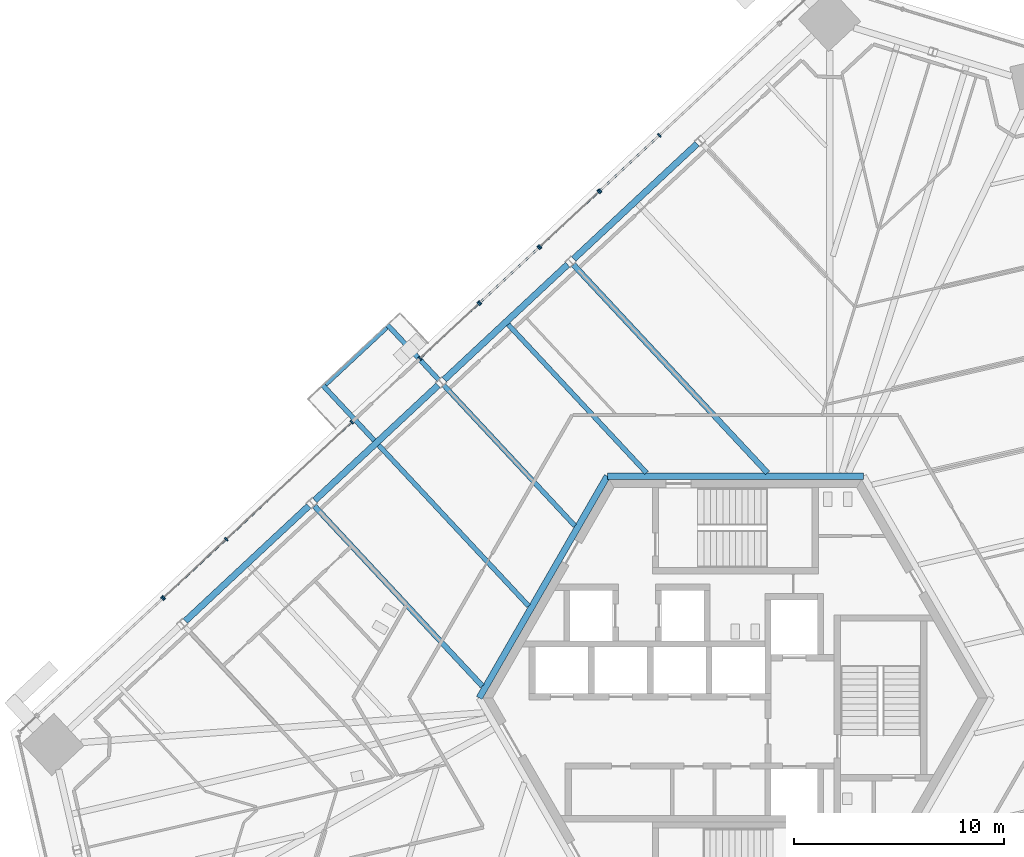
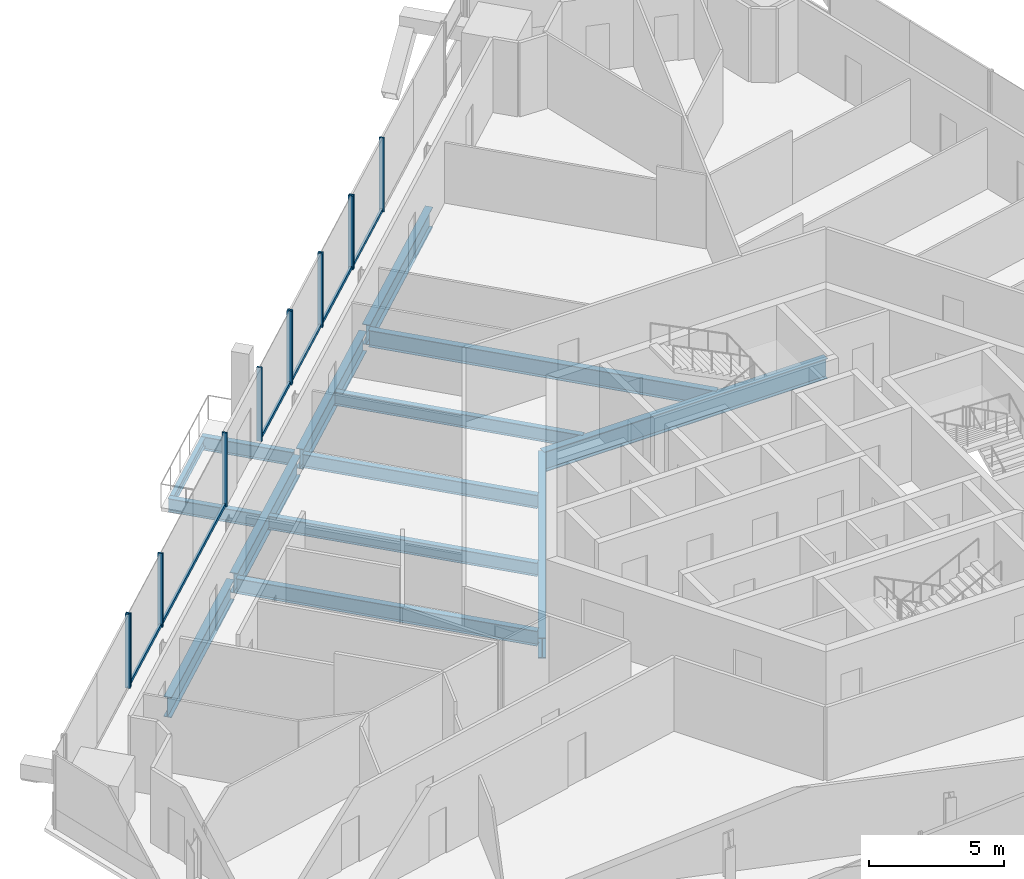
# One storey, part 8 of 25: 18 members, 14 beams, 6 elements without a shape of their own.
"""IFC4 building model written with IfcOpenShell, lengths in metres."""

from ifc_helpers import new_model, si_unit, direction, frame, origin, origin_2d, place, context, subcontext, project, spatial, rectangle, i_section, extrude, source, transform, mapped, material, material_profile, profile_set, type_object, element, aggregate, save


model = new_model("IFC4")

# Units and contexts
model_context = context("Model", 3, precision=1e-05, world=origin(), true_north=direction((0.0, 1.0)))
body_context = subcontext(model_context, "Body", "Model", "MODEL_VIEW")
ifc_project = project(units=[si_unit("LENGTHUNIT", "METRE"), si_unit("AREAUNIT", "SQUARE_METRE"), si_unit("VOLUMEUNIT", "CUBIC_METRE"), si_unit("PLANEANGLEUNIT", "RADIAN"), si_unit("MASSUNIT", "GRAM", prefix="KILO")], contexts=[model_context])

# Site, building, storey
site_placement = place(None, origin())
site = spatial("IfcSite", under=ifc_project, at=site_placement, CompositionType="ELEMENT")
building_placement = place(site_placement, origin())
building = spatial("IfcBuilding", under=site, at=building_placement, Name="Triune Harvest Tower", CompositionType="ELEMENT")
storey_placement = place(building_placement, frame((0.0, 0.0, 130.699951171875)))
storey = spatial("IfcBuildingStorey", under=building, at=storey_placement, Name="L33", CompositionType="ELEMENT", Elevation=130.699951171875)

# Beam
ifc_material_1 = material(Name="Steel ASTM A992 Gr 50", Category="steel")
ifc_material_profile_1 = material_profile(ifc_material_1, i_section(OverallWidth=0.180908203125, OverallDepth=0.41650390625, WebThickness=0.010986328125, FlangeThickness=0.01806640625, at=origin_2d()), Name="W16x57")
ifc_profile_set_1 = profile_set([ifc_material_profile_1], Name="Steel ASTM A992 Gr 50")
beam_type_1 = type_object("IfcBeamType", Name="BE-1 balcony edge beam W16x57", PredefinedType="BEAM", material=ifc_profile_set_1)
beam_1_placement = place(storey_placement, frame((-19.473876953125, 14.882080078125, -0.3681640625), z_axis=(0.731375580387, 0.681974897201, 0.0), x_axis=(-0.681974897201, 0.731375580387, 0.0)))
element("IfcBeam", 1, at=beam_1_placement, inside=storey, type_object=beam_type_1, Name="Balcony edge beam B3-F3 L33.7", PredefinedType="BEAM", context=body_context, shape_type="SweptSolid", body=[
    extrude(i_section(OverallWidth=0.180908203125, OverallDepth=0.41650390625, WebThickness=0.010986328125, FlangeThickness=0.01806640625, at=origin_2d()), origin(), (0.0, 0.0, 1.0), 3.978271484375),
])

# Curtain wall, member
ifc_material_2 = material(Name="Aluminium bronze anodised", Category="aluminium")
curtain_wall_type_1 = type_object("IfcCurtainWallType", Name="CW-10 Balcony window wall with insulated spandrel infill", PredefinedType="NOTDEFINED", material=ifc_material_2)
curtain_wall_1_placement = place(storey_placement, origin())
curtain_wall_1 = element("IfcCurtainWall", 2, at=curtain_wall_1_placement, inside=storey, type_object=curtain_wall_type_1, Name="CW-10 B3-F3 L33 run 301")
ifc_material_3 = material(Name="Aluminium bronze anodised", Category="aluminium")
ifc_material_profile_2 = material_profile(ifc_material_3, rectangle(XDim=0.090087890625, YDim=0.14990234375, at=origin_2d()), Name="TR-6 transom 90 x 150")
ifc_profile_set_2 = profile_set([ifc_material_profile_2], Name="Aluminium bronze anodised")
member_type_1 = type_object("IfcMemberType", Name="TR-6 transom 90 x 150", PredefinedType="USERDEFINED", material=ifc_profile_set_2)
member_1_placement = place(storey_placement, frame((-3.640625, 26.71923828125, 0.074951171875), z_axis=(-0.731368208842, -0.681982802639, 0.0), x_axis=(0.681982802639, -0.731368208842, 0.0)))
member_1 = element("IfcMember", 3, at=member_1_placement, type_object=member_type_1, Name="CW-10 transom B3-F3 301.2", ObjectType="TRANSOM", PredefinedType="USERDEFINED", context=body_context, shape_type="SweptSolid", body=[
    extrude(rectangle(XDim=0.090087890625, YDim=0.14990234375, at=origin_2d()), origin(), (0.0, 0.0, 1.0), 3.786865234375),
])

curtain_wall_2_placement = place(storey_placement, origin())
curtain_wall_2 = element("IfcCurtainWall", 4, at=curtain_wall_2_placement, inside=storey, type_object=curtain_wall_type_1, Name="CW-10 B3-F3 L33 run 2301")
member_2_placement = place(storey_placement, frame((-9.37158203125, 21.375, 0.074951171875), z_axis=(-0.731386486467, -0.681963200923, 0.0), x_axis=(0.681963200923, -0.731386486467, 0.0)))
member_2 = element("IfcMember", 5, at=member_2_placement, type_object=member_type_1, Name="CW-10 transom B3-F3 2301.1", ObjectType="TRANSOM", PredefinedType="USERDEFINED", context=body_context, shape_type="SweptSolid", body=[
    extrude(rectangle(XDim=0.090087890625, YDim=0.14990234375, at=origin_2d()), origin(), (0.0, 0.0, 1.0), 3.749267578125),
])

# Curtain wall, members
ifc_material_4 = material(Name="Aluminium bronze anodised", Category="aluminium")
curtain_wall_type_2 = type_object("IfcCurtainWallType", Name="CW-6 Balcony window wall", PredefinedType="NOTDEFINED", material=ifc_material_4)
curtain_wall_3_placement = place(storey_placement, origin())
curtain_wall_3 = element("IfcCurtainWall", 6, at=curtain_wall_3_placement, inside=storey, type_object=curtain_wall_type_2, Name="CW-6 B3-F3 L33 run 2")
member_3_placement = place(storey_placement, frame((-18.259033203125, 13.08740234375, 0.074951171875), z_axis=(-0.73134825359, -0.682004202312, 0.0), x_axis=(0.682004202312, -0.73134825359, 0.0)))
member_3 = element("IfcMember", 7, at=member_3_placement, type_object=member_type_1, Name="CW-6 transom B3-F3 2.1", ObjectType="TRANSOM", PredefinedType="USERDEFINED", context=body_context, shape_type="SweptSolid", body=[
    extrude(rectangle(XDim=0.090087890625, YDim=0.14990234375, at=origin_2d()), origin(), (0.0, 0.0, 1.0), 8.089599609375),
])
member_4_placement = place(storey_placement, frame((-24.230224609375, 7.519287109375, 0.074951171875), z_axis=(-0.731344244625, -0.682008501306, 0.0), x_axis=(0.682008501306, -0.731344244625, 0.0)))
member_4 = element("IfcMember", 8, at=member_4_placement, type_object=member_type_1, Name="CW-6 transom B3-F3 2.2", ObjectType="TRANSOM", PredefinedType="USERDEFINED", context=body_context, shape_type="SweptSolid", body=[
    extrude(rectangle(XDim=0.090087890625, YDim=0.14990234375, at=origin_2d()), origin(), (0.0, 0.0, 1.0), 3.988525390625),
])

# Beams
ifc_material_5 = material(Name="Steel ASTM A992 Gr 50", Category="steel")
ifc_material_profile_3 = material_profile(ifc_material_5, i_section(OverallWidth=0.3046875, OverallDepth=0.914306640625, WebThickness=0.0166015625, FlangeThickness=0.02587890625, at=origin_2d()), Name="W36x160")
ifc_profile_set_3 = profile_set([ifc_material_profile_3], Name="Steel ASTM A992 Gr 50")
beam_type_2 = type_object("IfcBeamType", Name="CG-1 Core ring girder W36x160", PredefinedType="BEAM", material=ifc_profile_set_3)
shared_shape_1 = source(origin(), body_context, "Body", "SweptSolid", [
    extrude(i_section(OverallWidth=0.3046875, OverallDepth=0.914306640625, WebThickness=0.0166015625, FlangeThickness=0.02587890625, at=origin_2d()), origin(), (0.0, 0.0, 1.0), 12.176025390625),
])
beam_2_placement = place(storey_placement, frame((-6.087890625, 10.544677734375, -0.6171875), z_axis=(-0.5000099932, -0.866019634131, 0.0), x_axis=(0.866019634131, -0.5000099932, 0.0)))
element("IfcBeam", 9, at=beam_2_placement, inside=storey, type_object=beam_type_2, Name="beam/L33/CG3", PredefinedType="BEAM", context=body_context, shape_type="MappedRepresentation", body=[
    mapped(shared_shape_1, transform((0.0, 0.0, 0.0), scale=1.0)),
])
shared_shape_2 = source(origin(), body_context, "Body", "SweptSolid", [
    extrude(i_section(OverallWidth=0.3046875, OverallDepth=0.914306640625, WebThickness=0.0166015625, FlangeThickness=0.02587890625, at=origin_2d()), origin(), (0.0, 0.0, 1.0), 12.17578125),
])
beam_3_placement = place(storey_placement, frame((6.087890625, 10.544677734375, -0.6171875), z_axis=(-1.0, 0.0, 0.0), x_axis=(0.0, -1.0, 0.0)))
element("IfcBeam", 10, at=beam_3_placement, inside=storey, type_object=beam_type_2, Name="beam/L33/CG2", PredefinedType="BEAM", context=body_context, shape_type="MappedRepresentation", body=[
    mapped(shared_shape_2, transform((0.0, 0.0, 0.0), scale=1.0)),
])
ifc_material_6 = material(Name="Steel ASTM A992 Gr 50", Category="steel")
ifc_material_profile_4 = material_profile(ifc_material_6, i_section(OverallWidth=0.3046875, OverallDepth=0.914306640625, WebThickness=0.0166015625, FlangeThickness=0.02587890625, at=origin_2d()), Name="W36x160")
ifc_profile_set_4 = profile_set([ifc_material_profile_4], Name="Steel ASTM A992 Gr 50")
beam_type_3 = type_object("IfcBeamType", Name="SB-1 Spandrel beam W36x160", PredefinedType="SPANDREL", material=ifc_profile_set_4)
shared_shape_3 = source(origin(), body_context, "Body", "SweptSolid", [
    extrude(i_section(OverallWidth=0.3046875, OverallDepth=0.914306640625, WebThickness=0.0166015625, FlangeThickness=0.02587890625, at=origin_2d()), origin(), (0.0, 0.0, 1.0), 8.018310546875),
])
for number, where, z_axis, x_axis, name in (
    (11, (-7.9755859375, 20.600341796875, -0.6171875), (-0.731353889465, -0.681998158623, 0.0), (0.681998158623, -0.731353889465, 0.0), "beam/L33/SB11"),
    (12, (-14.129638671875, 14.86181640625, -0.6171875), (-0.731353889465, -0.681998158623, 0.0), (0.681998158623, -0.731353889465, 0.0), "beam/L33/SB12"),
):
    element("IfcBeam", number, at=place(storey_placement, frame(where, z_axis=z_axis, x_axis=x_axis)), inside=storey, type_object=beam_type_3, Name=name, PredefinedType="SPANDREL", context=body_context, shape_type="MappedRepresentation", body=[
        mapped(shared_shape_3, transform((0.0, 0.0, 0.0), scale=1.0)),
    ])
shared_shape_4 = source(origin(), body_context, "Body", "SweptSolid", [
    extrude(i_section(OverallWidth=0.3046875, OverallDepth=0.914306640625, WebThickness=0.0166015625, FlangeThickness=0.02587890625, at=origin_2d()), origin(), (0.0, 0.0, 1.0), 8.01806640625),
])
for number, where, z_axis, x_axis, name in (
    (13, (-1.82177734375, 26.339111328125, -0.6171875), (-0.731339727109, -0.682013345582, 0.0), (0.682013345582, -0.731339727109, 0.0), "beam/L33/SB10"),
    (14, (-20.28369140625, 9.123046875, -0.6171875), (-0.731339727109, -0.682013345582, 0.0), (0.682013345582, -0.731339727109, 0.0), "beam/L33/SB13"),
):
    element("IfcBeam", number, at=place(storey_placement, frame(where, z_axis=z_axis, x_axis=x_axis)), inside=storey, type_object=beam_type_3, Name=name, PredefinedType="SPANDREL", context=body_context, shape_type="MappedRepresentation", body=[
        mapped(shared_shape_4, transform((0.0, 0.0, 0.0), scale=1.0)),
    ])
ifc_material_7 = material(Name="Steel ASTM A992 Gr 50", Category="steel")
ifc_material_profile_5 = material_profile(ifc_material_7, i_section(OverallWidth=0.2666015625, OverallDepth=0.7568359375, WebThickness=0.013916015625, FlangeThickness=0.019287109375, at=origin_2d()), Name="W30x108")
ifc_profile_set_5 = profile_set([ifc_material_profile_5], Name="Steel ASTM A992 Gr 50")
beam_type_4 = type_object("IfcBeamType", Name="JT-5 Floor joist W30x108", PredefinedType="JOIST", material=ifc_profile_set_5)
shared_shape_5 = source(origin(), body_context, "Body", "SweptSolid", [
    extrude(i_section(OverallWidth=0.2666015625, OverallDepth=0.7568359375, WebThickness=0.013916015625, FlangeThickness=0.019287109375, at=origin_2d()), origin(), (0.0, 0.0, 1.0), 13.535400390625),
])
beam_4_placement = place(storey_placement, frame((-7.700927734375, 20.59619140625, -0.538330078125), z_axis=(0.681991710808, -0.731359902093, 0.0), x_axis=(0.731359902093, 0.681991710808, 0.0)))
element("IfcBeam", 15, at=beam_4_placement, inside=storey, type_object=beam_type_4, Name="beam/L33/JT17", PredefinedType="JOIST", context=body_context, shape_type="MappedRepresentation", body=[
    mapped(shared_shape_5, transform((0.0, 0.0, 0.0), scale=1.0)),
])
ifc_material_8 = material(Name="Steel ASTM A992 Gr 50", Category="steel")
ifc_material_profile_6 = material_profile(ifc_material_8, i_section(OverallWidth=0.22900390625, OverallDepth=0.612060546875, WebThickness=0.011962890625, FlangeThickness=0.01953125, at=origin_2d()), Name="W24x84")
ifc_profile_set_6 = profile_set([ifc_material_profile_6], Name="Steel ASTM A992 Gr 50")
beam_type_5 = type_object("IfcBeamType", Name="JT-3 Floor joist W24x84", PredefinedType="JOIST", material=ifc_profile_set_6)
shared_shape_6 = source(origin(), body_context, "Body", "SweptSolid", [
    extrude(i_section(OverallWidth=0.22900390625, OverallDepth=0.612060546875, WebThickness=0.011962890625, FlangeThickness=0.01953125, at=origin_2d()), origin(), (0.0, 0.0, 1.0), 9.64990234375),
])
beam_5_placement = place(storey_placement, frame((-10.8037109375, 17.754638671875, -0.466064453125), z_axis=(0.681982850357, -0.731368164346, 0.0), x_axis=(0.731368164346, 0.681982850357, 0.0)))
element("IfcBeam", 16, at=beam_5_placement, inside=storey, type_object=beam_type_5, Name="beam/L33/JT18", PredefinedType="JOIST", context=body_context, shape_type="MappedRepresentation", body=[
    mapped(shared_shape_6, transform((0.0, 0.0, 0.0), scale=1.0)),
])
shared_shape_7 = source(origin(), body_context, "Body", "SweptSolid", [
    extrude(i_section(OverallWidth=0.22900390625, OverallDepth=0.612060546875, WebThickness=0.011962890625, FlangeThickness=0.01953125, at=origin_2d()), origin(), (0.0, 0.0, 1.0), 9.12890625),
])
beam_6_placement = place(storey_placement, frame((-13.854736328125, 14.857421875, -0.466064453125), z_axis=(0.681991349896, -0.731360238642, 0.0), x_axis=(0.731360238642, 0.681991349896, 0.0)))
element("IfcBeam", 17, at=beam_6_placement, inside=storey, type_object=beam_type_5, Name="beam/L33/JT19", PredefinedType="JOIST", context=body_context, shape_type="MappedRepresentation", body=[
    mapped(shared_shape_7, transform((0.0, 0.0, 0.0), scale=1.0)),
])
shared_shape_8 = source(origin(), body_context, "Body", "SweptSolid", [
    extrude(i_section(OverallWidth=0.22900390625, OverallDepth=0.612060546875, WebThickness=0.011962890625, FlangeThickness=0.01953125, at=origin_2d()), origin(), (0.0, 0.0, 1.0), 10.453369140625),
])
beam_7_placement = place(storey_placement, frame((-16.957763671875, 12.01611328125, -0.466064453125), z_axis=(0.681989491602, -0.731361971492, 0.0), x_axis=(0.731361971492, 0.681989491602, 0.0)))
element("IfcBeam", 18, at=beam_7_placement, inside=storey, type_object=beam_type_5, Name="beam/L33/JT20", PredefinedType="JOIST", context=body_context, shape_type="MappedRepresentation", body=[
    mapped(shared_shape_8, transform((0.0, 0.0, 0.0), scale=1.0)),
])
ifc_material_9 = material(Name="Steel ASTM A992 Gr 50", Category="steel")
ifc_material_profile_7 = material_profile(ifc_material_9, i_section(OverallWidth=0.253662109375, OverallDepth=0.683349609375, WebThickness=0.012451171875, FlangeThickness=0.01904296875, at=origin_2d()), Name="W27x94")
ifc_profile_set_7 = profile_set([ifc_material_profile_7], Name="Steel ASTM A992 Gr 50")
beam_type_6 = type_object("IfcBeamType", Name="JT-4 Floor joist W27x94", PredefinedType="JOIST", material=ifc_profile_set_7)
shared_shape_9 = source(origin(), body_context, "Body", "SweptSolid", [
    extrude(i_section(OverallWidth=0.253662109375, OverallDepth=0.683349609375, WebThickness=0.012451171875, FlangeThickness=0.01904296875, at=origin_2d()), origin(), (0.0, 0.0, 1.0), 11.70166015625),
])
beam_8_placement = place(storey_placement, frame((-20.0087890625, 9.118896484375, -0.50146484375), z_axis=(0.681994076682, -0.731357695913, 0.0), x_axis=(0.731357695913, 0.681994076682, 0.0)))
element("IfcBeam", 19, at=beam_8_placement, inside=storey, type_object=beam_type_6, Name="beam/L33/JT21", PredefinedType="JOIST", context=body_context, shape_type="MappedRepresentation", body=[
    mapped(shared_shape_9, transform((0.0, 0.0, 0.0), scale=1.0)),
])
ifc_material_10 = material(Name="Steel ASTM A992 Gr 50", Category="steel")
ifc_material_profile_8 = material_profile(ifc_material_10, i_section(OverallWidth=0.22900390625, OverallDepth=0.612060546875, WebThickness=0.011962890625, FlangeThickness=0.01953125, at=origin_2d()), Name="W24x84")
ifc_profile_set_8 = profile_set([ifc_material_profile_8], Name="Steel ASTM A992 Gr 50")
beam_type_7 = type_object("IfcBeamType", Name="BJ-3 Balcony cantilever joist W24x84", PredefinedType="JOIST", material=ifc_profile_set_8)
shared_shape_10 = source(origin(), body_context, "Body", "SweptSolid", [
    extrude(i_section(OverallWidth=0.22900390625, OverallDepth=0.612060546875, WebThickness=0.011962890625, FlangeThickness=0.01953125, at=origin_2d()), origin(), (0.0, 0.0, 1.0), 3.597412109375),
])
beam_9_placement = place(storey_placement, frame((-17.165771484375, 12.239013671875, -0.466064453125), z_axis=(-0.681972402572, 0.73137790651, 0.0), x_axis=(-0.73137790651, -0.681972402572, 0.0)))
element("IfcBeam", 20, at=beam_9_placement, inside=storey, type_object=beam_type_7, Name="Balcony cantilever joist B3-F3 L33.7a", PredefinedType="JOIST", context=body_context, shape_type="MappedRepresentation", body=[
    mapped(shared_shape_10, transform((0.0, 0.0, 0.0), scale=1.0)),
])

# Member
ifc_material_11 = material(Name="Aluminium bronze anodised", Category="aluminium")
ifc_material_profile_9 = material_profile(ifc_material_11, rectangle(XDim=0.199951171875, YDim=0.074951171875, at=origin_2d()), Name="MU-6 mullion 75 x 200")
ifc_profile_set_9 = profile_set([ifc_material_profile_9], Name="Aluminium bronze anodised")
member_type_2 = type_object("IfcMemberType", Name="MU-6 mullion 75 x 200", PredefinedType="MULLION", material=ifc_profile_set_9)
shared_shape_11 = source(origin(), body_context, "Body", "SweptSolid", [
    extrude(rectangle(XDim=0.199951171875, YDim=0.074951171875, at=origin_2d()), origin(), (0.0, 0.0, 1.0), 3.35009765625),
])
member_5_placement = place(storey_placement, frame((-3.61328125, 26.744873046875, 0.0), z_axis=(0.0, 0.0, 1.0), x_axis=(0.681996550854, -0.731355388729, 0.0)))
member_5 = element("IfcMember", 21, at=member_5_placement, type_object=member_type_2, Name="CW-10 mullion B3-F3 301.3", PredefinedType="MULLION", context=body_context, shape_type="MappedRepresentation", body=[
    mapped(shared_shape_11, transform((0.0, 0.0, 0.0), scale=1.0)),
])

member_6_placement = place(storey_placement, frame((-6.4375, 24.111083984375, 0.0), z_axis=(0.0, 0.0, 1.0), x_axis=(0.681996550854, -0.731355388729, 0.0)))
member_6 = element("IfcMember", 22, at=member_6_placement, type_object=member_type_2, Name="CW-10 mullion B3-F3 301.4", PredefinedType="MULLION", context=body_context, shape_type="MappedRepresentation", body=[
    mapped(shared_shape_11, transform((0.0, 0.0, 0.0), scale=1.0)),
])

aggregate(curtain_wall_1, [member_5, member_6, member_1])

# Curtain wall, members
curtain_wall_4_placement = place(storey_placement, origin())
curtain_wall_4 = element("IfcCurtainWall", 23, at=curtain_wall_4_placement, inside=storey, type_object=curtain_wall_type_2, Name="CW-6 B3-F3 L33 run 1301")
member_7_placement = place(storey_placement, frame((-6.492431640625, 24.06005859375, 0.0), z_axis=(0.0, 0.0, 1.0), x_axis=(0.682005695523, -0.731346861123, 0.0)))
member_7 = element("IfcMember", 24, at=member_7_placement, type_object=member_type_2, Name="CW-6 mullion B3-F3 1301.1", PredefinedType="MULLION", context=body_context, shape_type="MappedRepresentation", body=[
    mapped(shared_shape_11, transform((0.0, 0.0, 0.0), scale=1.0)),
])
member_8_placement = place(storey_placement, frame((-9.289306640625, 21.45166015625, 0.0), z_axis=(0.0, 0.0, 1.0), x_axis=(0.682005695523, -0.731346861123, 0.0)))
member_8 = element("IfcMember", 25, at=member_8_placement, type_object=member_type_2, Name="CW-6 mullion B3-F3 1301.2", PredefinedType="MULLION", context=body_context, shape_type="MappedRepresentation", body=[
    mapped(shared_shape_11, transform((0.0, 0.0, 0.0), scale=1.0)),
])

# Member
member_9_placement = place(storey_placement, frame((-9.34423828125, 21.400634765625, 0.0), z_axis=(0.0, 0.0, 1.0), x_axis=(0.68199197841, -0.731359652555, 0.0)))
member_9 = element("IfcMember", 26, at=member_9_placement, type_object=member_type_2, Name="CW-10 mullion B3-F3 2301.1", PredefinedType="MULLION", context=body_context, shape_type="MappedRepresentation", body=[
    mapped(shared_shape_11, transform((0.0, 0.0, 0.0), scale=1.0)),
])

member_10_placement = place(storey_placement, frame((-12.14111328125, 18.79248046875, 0.0), z_axis=(0.0, 0.0, 1.0), x_axis=(0.68199197841, -0.731359652555, 0.0)))
member_10 = element("IfcMember", 27, at=member_10_placement, type_object=member_type_2, Name="CW-10 mullion B3-F3 2301.2", PredefinedType="MULLION", context=body_context, shape_type="MappedRepresentation", body=[
    mapped(shared_shape_11, transform((0.0, 0.0, 0.0), scale=1.0)),
])

aggregate(curtain_wall_2, [member_9, member_10, member_2])

# Curtain wall, members
curtain_wall_5_placement = place(storey_placement, origin())
curtain_wall_5 = element("IfcCurtainWall", 28, at=curtain_wall_5_placement, inside=storey, type_object=curtain_wall_type_2, Name="CW-6 B3-F3 L33 run 3301")
member_11_placement = place(storey_placement, frame((-12.196044921875, 18.7412109375, 0.0), z_axis=(0.0, 0.0, 1.0), x_axis=(0.682005695523, -0.731346861123, 0.0)))
member_11 = element("IfcMember", 29, at=member_11_placement, type_object=member_type_2, Name="CW-6 mullion B3-F3 3301.1", PredefinedType="MULLION", context=body_context, shape_type="MappedRepresentation", body=[
    mapped(shared_shape_11, transform((0.0, 0.0, 0.0), scale=1.0)),
])
member_12_placement = place(storey_placement, frame((-14.992919921875, 16.133056640625, 0.0), z_axis=(0.0, 0.0, 1.0), x_axis=(0.682005695523, -0.731346861123, 0.0)))
member_12 = element("IfcMember", 30, at=member_12_placement, type_object=member_type_2, Name="CW-6 mullion B3-F3 3301.2", PredefinedType="MULLION", context=body_context, shape_type="MappedRepresentation", body=[
    mapped(shared_shape_11, transform((0.0, 0.0, 0.0), scale=1.0)),
])

# Member
member_13_placement = place(storey_placement, frame((-18.231689453125, 13.113037109375, 0.0), z_axis=(0.0, 0.0, 1.0), x_axis=(0.681999045147, -0.731353062767, 0.0)))
member_13 = element("IfcMember", 31, at=member_13_placement, type_object=member_type_2, Name="CW-6 mullion B3-F3 2.1", PredefinedType="MULLION", context=body_context, shape_type="MappedRepresentation", body=[
    mapped(shared_shape_11, transform((0.0, 0.0, 0.0), scale=1.0)),
])

member_14_placement = place(storey_placement, frame((-24.202880859375, 7.544677734375, 0.0), z_axis=(0.0, 0.0, 1.0), x_axis=(0.681999045147, -0.731353062767, 0.0)))
member_14 = element("IfcMember", 32, at=member_14_placement, type_object=member_type_2, Name="CW-6 mullion B3-F3 2.3", PredefinedType="MULLION", context=body_context, shape_type="MappedRepresentation", body=[
    mapped(shared_shape_11, transform((0.0, 0.0, 0.0), scale=1.0)),
])

member_15_placement = place(storey_placement, frame((-27.174560546875, 4.7734375, 0.0), z_axis=(0.0, 0.0, 1.0), x_axis=(0.681999045147, -0.731353062767, 0.0)))
member_15 = element("IfcMember", 33, at=member_15_placement, type_object=member_type_2, Name="CW-6 mullion B3-F3 2.4", PredefinedType="MULLION", context=body_context, shape_type="MappedRepresentation", body=[
    mapped(shared_shape_11, transform((0.0, 0.0, 0.0), scale=1.0)),
])

aggregate(curtain_wall_3, [member_13, member_14, member_15, member_3, member_4])

# Curtain wall, member
curtain_wall_6_placement = place(storey_placement, origin())
curtain_wall_6 = element("IfcCurtainWall", 34, at=curtain_wall_6_placement, inside=storey, type_object=curtain_wall_type_1, Name="CW-10 B3-F3 L33 run 1002")
member_16_placement = place(storey_placement, frame((-27.2294921875, 4.722412109375, 0.0), z_axis=(0.0, 0.0, 1.0), x_axis=(0.681999338527, -0.731352789185, 0.0)))
member_16 = element("IfcMember", 35, at=member_16_placement, type_object=member_type_2, Name="CW-10 mullion B3-F3 1002.1", PredefinedType="MULLION", context=body_context, shape_type="MappedRepresentation", body=[
    mapped(shared_shape_11, transform((0.0, 0.0, 0.0), scale=1.0)),
])
aggregate(curtain_wall_6, [member_16])

# Beam
shared_shape_12 = source(origin(), body_context, "Body", "SweptSolid", [
    extrude(i_section(OverallWidth=0.22900390625, OverallDepth=0.612060546875, WebThickness=0.011962890625, FlangeThickness=0.01953125, at=origin_2d()), origin(), (0.0, 0.0, 1.0), 3.597900390625),
])
beam_10_placement = place(storey_placement, frame((-14.088623046875, 15.108154296875, -0.466064453125), z_axis=(-0.681974854562, 0.731375620147, 0.0), x_axis=(-0.731375620147, -0.681974854562, 0.0)))
element("IfcBeam", 36, at=beam_10_placement, inside=storey, type_object=beam_type_7, Name="Balcony cantilever joist B3-F3 L33.7b", PredefinedType="JOIST", context=body_context, shape_type="MappedRepresentation", body=[
    mapped(shared_shape_12, transform((0.0, 0.0, 0.0), scale=1.0)),
])

# Member
shared_shape_13 = source(origin(), body_context, "Body", "SweptSolid", [
    extrude(rectangle(XDim=0.090087890625, YDim=0.14990234375, at=origin_2d()), origin(), (0.0, 0.0, 1.0), 3.74951171875),
])
member_17_placement = place(storey_placement, frame((-6.519775390625, 24.034423828125, 0.074951171875), z_axis=(-0.731354008449, -0.681998031027, 0.0), x_axis=(0.681998031027, -0.731354008449, 0.0)))
member_17 = element("IfcMember", 37, at=member_17_placement, type_object=member_type_1, Name="CW-6 transom B3-F3 1301.1", ObjectType="TRANSOM", PredefinedType="USERDEFINED", context=body_context, shape_type="MappedRepresentation", body=[
    mapped(shared_shape_13, transform((0.0, 0.0, 0.0), scale=1.0)),
])

aggregate(curtain_wall_4, [member_7, member_8, member_17])

member_18_placement = place(storey_placement, frame((-12.223388671875, 18.7158203125, 0.074951171875), z_axis=(-0.731354008449, -0.681998031027, 0.0), x_axis=(0.681998031027, -0.731354008449, 0.0)))
member_18 = element("IfcMember", 38, at=member_18_placement, type_object=member_type_1, Name="CW-6 transom B3-F3 3301.1", ObjectType="TRANSOM", PredefinedType="USERDEFINED", context=body_context, shape_type="MappedRepresentation", body=[
    mapped(shared_shape_13, transform((0.0, 0.0, 0.0), scale=1.0)),
])

aggregate(curtain_wall_5, [member_11, member_12, member_18])

save(model, "model.ifc")
